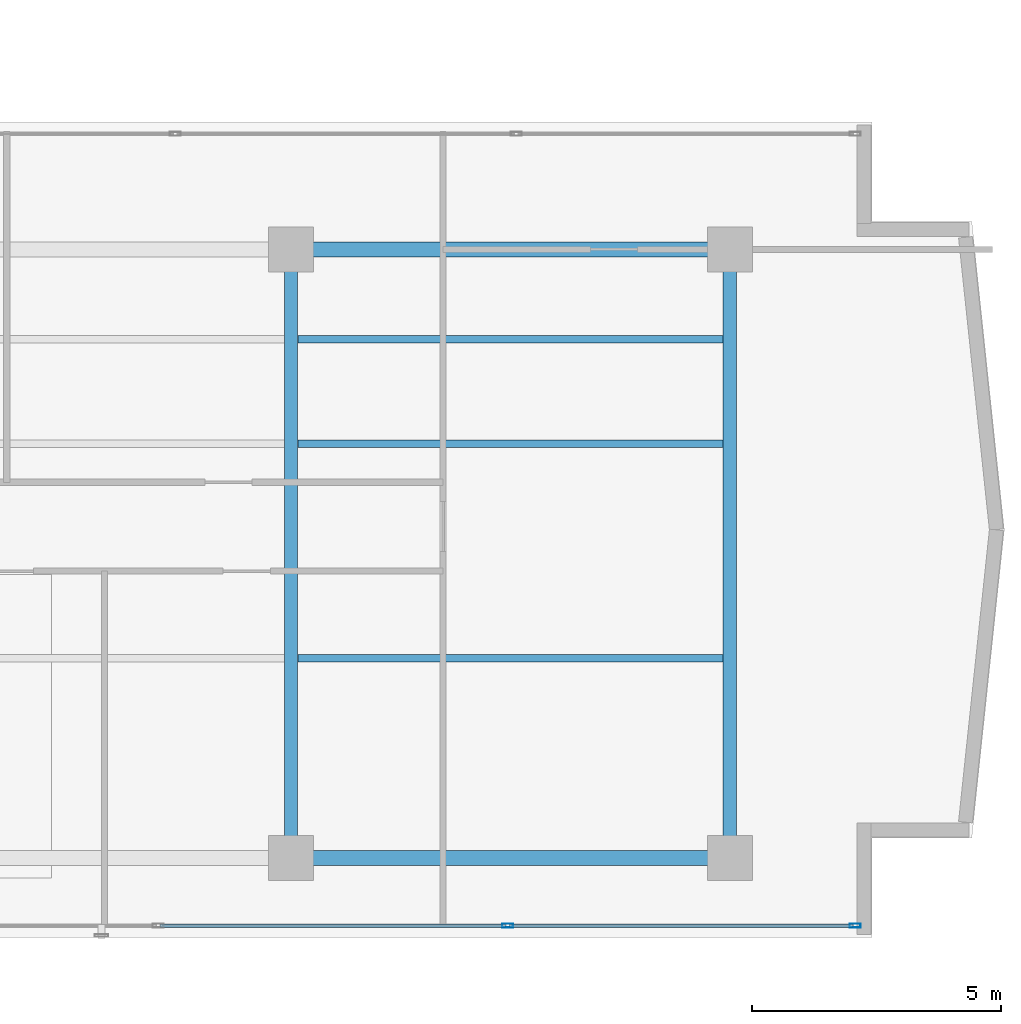
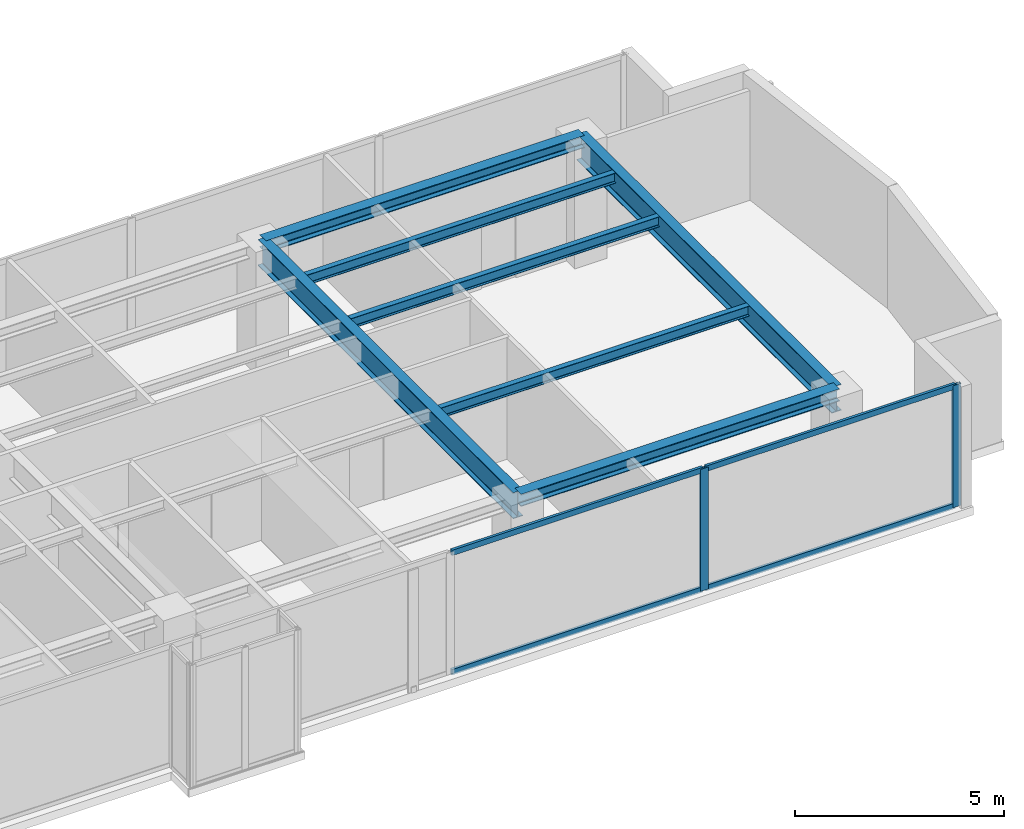
# One storey, part 11 of 22: 7 beams, 6 members, 1 element without a shape of its own.
"""IFC4 building model written with IfcOpenShell, lengths in metres."""

from ifc_helpers import new_model, si_unit, direction, frame, origin, origin_with_axes, origin_2d, place, context, subcontext, project, spatial, hollow_rectangle, i_section, extrude, source, transform, mapped, material, layer, layer_set, material_profile, profile_set, type_object, element, aggregate, save


model = new_model("IFC4")

# Units and contexts
model_context = context("Model", 3, precision=1e-05, world=origin(), true_north=direction((0.0, 1.0)))
body_context = subcontext(model_context, "Body", "Model", "MODEL_VIEW")
ifc_project = project(units=[si_unit("LENGTHUNIT", "METRE"), si_unit("AREAUNIT", "SQUARE_METRE"), si_unit("VOLUMEUNIT", "CUBIC_METRE"), si_unit("PLANEANGLEUNIT", "RADIAN"), si_unit("MASSUNIT", "GRAM", prefix="KILO")], contexts=[model_context])

# Site, building, storey
site_placement = place(None, origin())
site = spatial("IfcSite", under=ifc_project, at=site_placement, CompositionType="ELEMENT")
building_placement = place(site_placement, origin())
building = spatial("IfcBuilding", under=site, at=building_placement, Name="Kolvaren Waterfront Exchange", CompositionType="ELEMENT")
storey_placement = place(building_placement, frame((0.0, 0.0, 278.0)))
storey = spatial("IfcBuildingStorey", under=building, at=storey_placement, Name="L71", CompositionType="ELEMENT", Elevation=278.0)

# Beams
ifc_material_1 = material(Name="Steel S355", Category="steel")
ifc_material_profile_1 = material_profile(ifc_material_1, i_section(OverallWidth=0.300048828125, OverallDepth=0.360107421875, WebThickness=0.012451171875, FlangeThickness=0.0224609375, FilletRadius=0.027099609375, at=origin_2d()), Name="HEB360")
ifc_profile_set_1 = profile_set([ifc_material_profile_1], Name="Steel S355")
beam_type_1 = type_object("IfcBeamType", Name="STR-BM-HEB360", PredefinedType="SPANDREL", material=ifc_profile_set_1)
for number, where, z_axis, x_axis, name in (
    (1, (36.800048828125, 5.199951171875, 3.3798828125), (1.0, 0.0, 0.0), (0.0, 1.0, 0.0), "L71 east-arm spandrel S3"),
    (2, (36.800048828125, 17.39990234375, 3.3798828125), (1.0, 0.0, 0.0), (0.0, 1.0, 0.0), "L71 east-arm spandrel N3"),
):
    element("IfcBeam", number, at=place(storey_placement, frame(where, z_axis=z_axis, x_axis=x_axis)), inside=storey, type_object=beam_type_1, Name=name, PredefinedType="SPANDREL", context=body_context, shape_type="SweptSolid", body=[
        extrude(i_section(OverallWidth=0.300048828125, OverallDepth=0.360107421875, WebThickness=0.012451171875, FlangeThickness=0.0224609375, FilletRadius=0.027099609375, at=origin_2d()), origin(), (0.0, 0.0, 1.0), 8.800048828125),
    ])
ifc_material_profile_2 = material_profile(ifc_material_1, i_section(OverallWidth=0.14990234375, OverallDepth=0.300048828125, WebThickness=0.007080078125, FlangeThickness=0.0107421875, FilletRadius=0.014892578125, at=origin_2d()), Name="IPE300")
ifc_profile_set_2 = profile_set([ifc_material_profile_2], Name="Steel S355")
beam_type_2 = type_object("IfcBeamType", Name="STR-BM-IPE300", PredefinedType="JOIST", material=ifc_profile_set_2)
for number, where, z_axis, x_axis, name in (
    (3, (36.935546875, 13.5, 3.409912109375), (1.0, 0.0, 0.0), (0.0, 1.0, 0.0), "L71 east-arm composite joist 3A"),
    (4, (36.935546875, 15.60009765625, 3.409912109375), (1.0, 0.0, 0.0), (0.0, 1.0, 0.0), "L71 east-arm composite joist 3C"),
    (5, (36.935546875, 9.199951171875, 3.409912109375), (1.0, 0.0, 0.0), (0.0, 1.0, 0.0), "L71 east-arm composite joist 3B"),
):
    element("IfcBeam", number, at=place(storey_placement, frame(where, z_axis=z_axis, x_axis=x_axis)), inside=storey, type_object=beam_type_2, Name=name, PredefinedType="JOIST", context=body_context, shape_type="SweptSolid", body=[
        extrude(i_section(OverallWidth=0.14990234375, OverallDepth=0.300048828125, WebThickness=0.007080078125, FlangeThickness=0.0107421875, FilletRadius=0.014892578125, at=origin_2d()), origin(), (0.0, 0.0, 1.0), 8.529052734375),
    ])
ifc_material_profile_3 = material_profile(ifc_material_1, i_section(OverallWidth=0.26708984375, OverallDepth=0.761962890625, WebThickness=0.014404296875, FlangeThickness=0.021484375, FilletRadius=0.01708984375, at=origin_2d()), Name="IPE750x173")
ifc_profile_set_3 = profile_set([ifc_material_profile_3], Name="Steel S355")
beam_type_3 = type_object("IfcBeamType", Name="STR-BM-IPE750", PredefinedType="BEAM", material=ifc_profile_set_3)
for number, where, z_axis, x_axis, name in (
    (6, (36.800048828125, 5.199951171875, 3.178955078125), (0.0, 1.0, 0.0), (-1.0, 0.0, 0.0), "L71 east-arm transverse girder X36"),
    (7, (45.60009765625, 5.199951171875, 3.178955078125), (0.0, 1.0, 0.0), (-1.0, 0.0, 0.0), "L71 east-arm transverse girder X45"),
):
    element("IfcBeam", number, at=place(storey_placement, frame(where, z_axis=z_axis, x_axis=x_axis)), inside=storey, type_object=beam_type_3, Name=name, PredefinedType="BEAM", context=body_context, shape_type="SweptSolid", body=[
        extrude(i_section(OverallWidth=0.26708984375, OverallDepth=0.761962890625, WebThickness=0.014404296875, FlangeThickness=0.021484375, FilletRadius=0.01708984375, at=origin_2d()), origin(), (0.0, 0.0, 1.0), 12.199951171875),
    ])

# Curtain wall, members
ifc_material_2 = material(Name="Anodised bronze aluminium 6063-T6", Category="aluminium")
ifc_layer = layer(ifc_material_2, 0.219970703125, Name="Anodised bronze aluminium 6063-T6")
ifc_layer_set = layer_set([ifc_layer], Name="Anodised bronze aluminium 6063-T6")
curtain_wall_type = type_object("IfcCurtainWallType", Name="ARC-CW-SYS1", PredefinedType="USERDEFINED", material=ifc_layer_set)
curtain_wall_placement = place(storey_placement, origin())
curtain_wall = element("IfcCurtainWall", 8, at=curtain_wall_placement, inside=storey, type_object=curtain_wall_type, Name="L71 stick curtain wall CW1 (CW-L71-S)", ObjectType="STICK CURTAIN WALL", PredefinedType="USERDEFINED")
ifc_material_3 = material(Name="Anodised aluminium 6063-T6", Category="aluminium")
ifc_material_profile_4 = material_profile(ifc_material_3, hollow_rectangle(XDim=0.080078125, YDim=0.219970703125, WallThickness=0.0048828125, at=origin_2d()), Name="ALU-MUL-220x80x5")
ifc_profile_set_4 = profile_set([ifc_material_profile_4], Name="Anodised aluminium 6063-T6")
member_type_1 = type_object("IfcMemberType", Name="ARC-CWM-220", PredefinedType="MULLION", material=ifc_profile_set_4)
shared_shape_1 = source(origin_with_axes(), body_context, "Body", "SweptSolid", [
    extrude(hollow_rectangle(XDim=0.080078125, YDim=0.219970703125, WallThickness=0.0048828125, at=origin_2d()), origin(), (0.0, 0.0, 1.0), 3.56005859375),
])
member_1_placement = place(storey_placement, frame((41.143798828125, 3.840087890625, 0.0), z_axis=(0.0, 0.0, 1.0), x_axis=(0.0, 1.0, 0.0)))
member_1 = element("IfcMember", 9, at=member_1_placement, type_object=member_type_1, Name="CW1 mullion 6", PredefinedType="MULLION", context=body_context, shape_type="MappedRepresentation", body=[
    mapped(shared_shape_1, transform((0.0, 0.0, 0.0), x_axis=(1.0, 0.0, 0.0), y_axis=(0.0, 1.0, 0.0), z_axis=(0.0, 0.0, 1.0), scale=1.0)),
])
member_2_placement = place(storey_placement, frame((48.112548828125, 3.840087890625, 0.0), z_axis=(0.0, 0.0, 1.0), x_axis=(0.0, 1.0, 0.0)))
member_2 = element("IfcMember", 10, at=member_2_placement, type_object=member_type_1, Name="CW1 mullion 7", PredefinedType="MULLION", context=body_context, shape_type="MappedRepresentation", body=[
    mapped(shared_shape_1, transform((0.0, 0.0, 0.0), x_axis=(1.0, 0.0, 0.0), y_axis=(0.0, 1.0, 0.0), z_axis=(0.0, 0.0, 1.0), scale=1.0)),
])
ifc_material_profile_5 = material_profile(ifc_material_3, hollow_rectangle(XDim=0.074951171875, YDim=0.159912109375, WallThickness=0.00439453125, at=origin_2d()), Name="ALU-TRN-160x75x4.5")
ifc_profile_set_5 = profile_set([ifc_material_profile_5], Name="Anodised aluminium 6063-T6")
member_type_2 = type_object("IfcMemberType", Name="ARC-CWT-160", PredefinedType="USERDEFINED", material=ifc_profile_set_5)
shared_shape_2 = source(origin_with_axes(), body_context, "Body", "SweptSolid", [
    extrude(hollow_rectangle(XDim=0.074951171875, YDim=0.159912109375, WallThickness=0.00439453125, at=origin_2d()), origin(), (0.0, 0.0, 1.0), 6.9287109375),
])
member_3_placement = place(storey_placement, frame((34.175048828125, 3.840087890625, 0.03759765625), z_axis=(1.0, 0.0, 0.0), x_axis=(0.0, 1.0, 0.0)))
member_3 = element("IfcMember", 11, at=member_3_placement, type_object=member_type_2, Name="CW1 transom 5.1", ObjectType="TRANSOM", PredefinedType="USERDEFINED", context=body_context, shape_type="MappedRepresentation", body=[
    mapped(shared_shape_2, transform((0.0, 0.0, 0.0), x_axis=(1.0, 0.0, 0.0), y_axis=(0.0, 1.0, 0.0), z_axis=(0.0, 0.0, 1.0), scale=1.0)),
])
member_4_placement = place(storey_placement, frame((34.175048828125, 3.840087890625, 3.5224609375), z_axis=(1.0, 0.0, 0.0), x_axis=(0.0, 1.0, 0.0)))
member_4 = element("IfcMember", 12, at=member_4_placement, type_object=member_type_2, Name="CW1 transom 5.2", ObjectType="TRANSOM", PredefinedType="USERDEFINED", context=body_context, shape_type="MappedRepresentation", body=[
    mapped(shared_shape_2, transform((0.0, 0.0, 0.0), x_axis=(1.0, 0.0, 0.0), y_axis=(0.0, 1.0, 0.0), z_axis=(0.0, 0.0, 1.0), scale=1.0)),
])
shared_shape_3 = source(origin_with_axes(), body_context, "Body", "SweptSolid", [
    extrude(hollow_rectangle(XDim=0.074951171875, YDim=0.159912109375, WallThickness=0.00439453125, at=origin_2d()), origin(), (0.0, 0.0, 1.0), 6.888671875),
])
member_5_placement = place(storey_placement, frame((41.183837890625, 3.840087890625, 0.03759765625), z_axis=(1.0, 0.0, 0.0), x_axis=(0.0, 1.0, 0.0)))
member_5 = element("IfcMember", 13, at=member_5_placement, type_object=member_type_2, Name="CW1 transom 6.1", ObjectType="TRANSOM", PredefinedType="USERDEFINED", context=body_context, shape_type="MappedRepresentation", body=[
    mapped(shared_shape_3, transform((0.0, 0.0, 0.0), x_axis=(1.0, 0.0, 0.0), y_axis=(0.0, 1.0, 0.0), z_axis=(0.0, 0.0, 1.0), scale=1.0)),
])
member_6_placement = place(storey_placement, frame((41.183837890625, 3.840087890625, 3.5224609375), z_axis=(1.0, 0.0, 0.0), x_axis=(0.0, 1.0, 0.0)))
member_6 = element("IfcMember", 14, at=member_6_placement, type_object=member_type_2, Name="CW1 transom 6.2", ObjectType="TRANSOM", PredefinedType="USERDEFINED", context=body_context, shape_type="MappedRepresentation", body=[
    mapped(shared_shape_3, transform((0.0, 0.0, 0.0), x_axis=(1.0, 0.0, 0.0), y_axis=(0.0, 1.0, 0.0), z_axis=(0.0, 0.0, 1.0), scale=1.0)),
])
aggregate(curtain_wall, [member_1, member_2, member_3, member_4, member_5, member_6])

save(model, "model.ifc")
